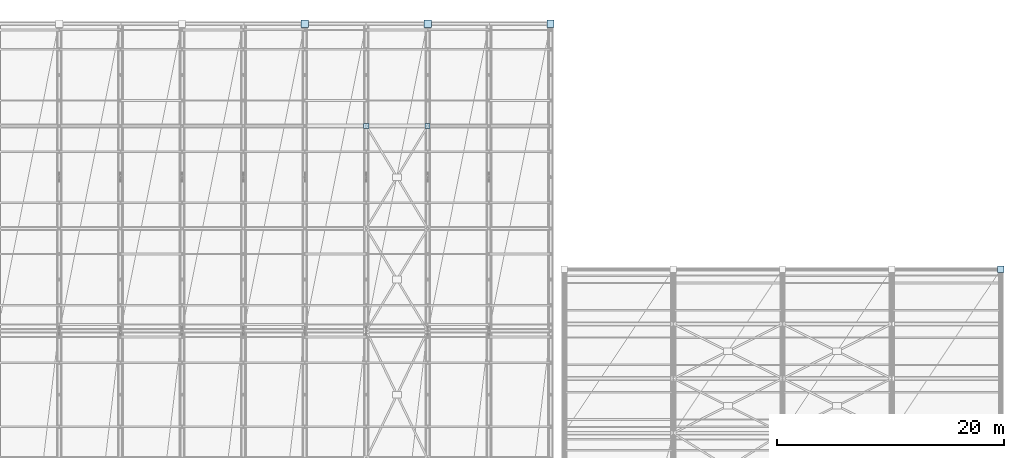
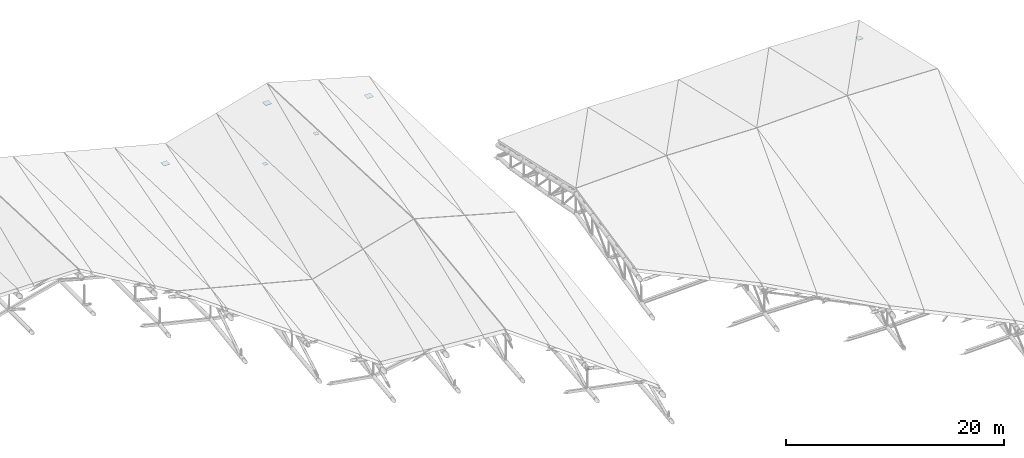
# One storey, part 108 of 109: 6 plates.
"""IFC4 building model written with IfcOpenShell, lengths in metres."""

from ifc_helpers import new_model, si_unit, direction, frame, origin, origin_2d, place, context, subcontext, project, spatial, rectangle, extrude, material, layer, layer_set, type_object, element, save


model = new_model("IFC4")

# Units and contexts
model_context = context("Model", 3, precision=1e-05, world=origin(), true_north=direction((0.0, 1.0)))
body_context = subcontext(model_context, "Body", "Model", "MODEL_VIEW")
ifc_project = project(units=[si_unit("LENGTHUNIT", "METRE"), si_unit("AREAUNIT", "SQUARE_METRE"), si_unit("VOLUMEUNIT", "CUBIC_METRE"), si_unit("PLANEANGLEUNIT", "RADIAN"), si_unit("MASSUNIT", "GRAM", prefix="KILO")], contexts=[model_context])

# Site, building, storey
site_placement = place(None, origin())
site = spatial("IfcSite", under=ifc_project, at=site_placement, CompositionType="ELEMENT")
building_placement = place(site_placement, origin())
building = spatial("IfcBuilding", under=site, at=building_placement, Name="Suirenkawa Promenade Aquatics Centre", CompositionType="ELEMENT")
storey_placement = place(building_placement, frame((0.0, 0.0, 22.800048828125)))
storey = spatial("IfcBuildingStorey", under=building, at=storey_placement, Name="ROOF", CompositionType="ELEMENT", Elevation=22.800048828125)

# Plates
ifc_material = material(Name="Steel IS 2062 E350 (Grade 350)", Category="steel")
ifc_layer_1 = layer(ifc_material, 0.028076171875, Name="Steel IS 2062 E350 (Grade 350)", Category="steel")
ifc_layer_set_1 = layer_set([ifc_layer_1], Name="Steel IS 2062 E350 (Grade 350)")
plate_type_1 = type_object("IfcPlateType", Name="PLT-BEAR-550x550x28", PredefinedType="SHEET", material=ifc_layer_set_1)
plate_placement = place(storey_placement, frame((194.39990234375, 100.800048828125, -6.2529296875), z_axis=(0.0, 0.0, 1.0), x_axis=(1.0, 0.0, 0.0)))
element("IfcPlate", 1, at=plate_placement, inside=storey, type_object=plate_type_1, Name="Truss node plate TN-02 PLG-0149", PredefinedType="SHEET", context=body_context, shape_type="SweptSolid", body=[
    extrude(rectangle(XDim=0.550048828125, YDim=0.550048828125, at=origin_2d()), origin(), (0.0, 0.0, 1.0), 0.028076171875),
])
ifc_layer_2 = layer(ifc_material, 0.031982421875, Name="Steel IS 2062 E350 (Grade 350)", Category="steel")
ifc_layer_set_2 = layer_set([ifc_layer_2], Name="Steel IS 2062 E350 (Grade 350)")
plate_type_2 = type_object("IfcPlateType", Name="PLT-BEAR-650x650x32", PredefinedType="SHEET", material=ifc_layer_set_2)
for number, where, z_axis, x_axis, name in (
    (2, (133.199951171875, 122.39990234375, -11.98291015625), (0.0, 0.0, 1.0), (1.0, 0.0, 0.0), "Truss node plate TN-01 PLG-0063"),
    (3, (144.0, 122.39990234375, -8.98291015625), (0.0, 0.0, 1.0), (1.0, 0.0, 0.0), "Truss node plate TN-01 PLG-0071"),
    (4, (154.800048828125, 122.39990234375, -11.98291015625), (0.0, 0.0, 1.0), (1.0, 0.0, 0.0), "Truss node plate TN-01 PLG-0079"),
):
    element("IfcPlate", number, at=place(storey_placement, frame(where, z_axis=z_axis, x_axis=x_axis)), inside=storey, type_object=plate_type_2, Name=name, PredefinedType="SHEET", context=body_context, shape_type="SweptSolid", body=[
        extrude(rectangle(XDim=0.64990234375, YDim=0.64990234375, at=origin_2d()), origin(), (0.0, 0.0, 1.0), 0.031982421875),
    ])
ifc_layer_3 = layer(ifc_material, 0.01611328125, Name="Steel IS 2062 E350 (Grade 350)", Category="steel")
ifc_layer_set_3 = layer_set([ifc_layer_3], Name="Steel IS 2062 E350 (Grade 350)")
plate_type_3 = type_object("IfcPlateType", Name="PLT-GUSSET-600x450x16", PredefinedType="USERDEFINED", material=ifc_layer_set_3)
for number, where, z_axis, x_axis, name in (
    (5, (144.0, 113.39990234375, -6.941162109375), (0.0, 0.0, 1.0), (1.0, 0.0, 0.0), "Truss node plate TN-06 PLG-0129"),
    (6, (138.60009765625, 113.39990234375, -8.441162109375), (0.0, 0.0, 1.0), (1.0, 0.0, 0.0), "Truss node plate TN-06 PLG-0130"),
):
    element("IfcPlate", number, at=place(storey_placement, frame(where, z_axis=z_axis, x_axis=x_axis)), inside=storey, type_object=plate_type_3, Name=name, ObjectType="GUSSET", PredefinedType="USERDEFINED", context=body_context, shape_type="SweptSolid", body=[
        extrude(rectangle(XDim=0.449951171875, YDim=0.449951171875, at=origin_2d()), origin(), (0.0, 0.0, 1.0), 0.01611328125),
    ])

save(model, "model.ifc")
